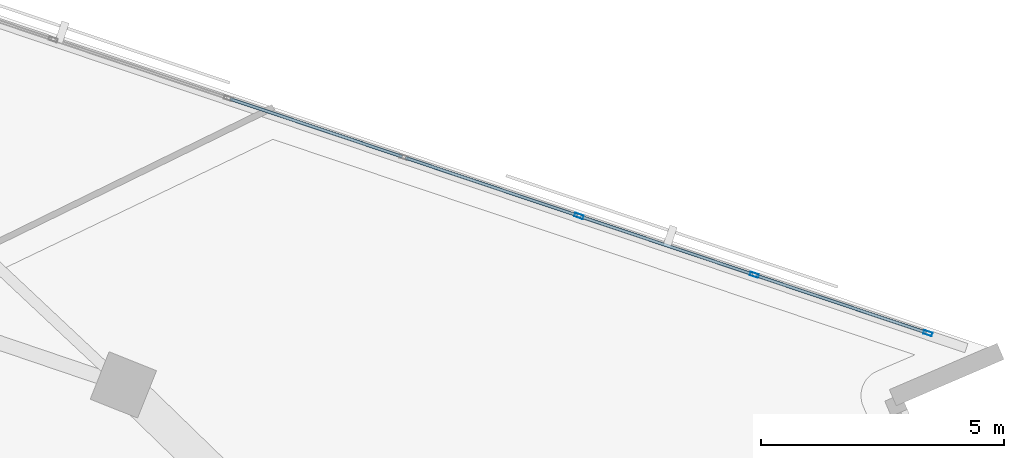
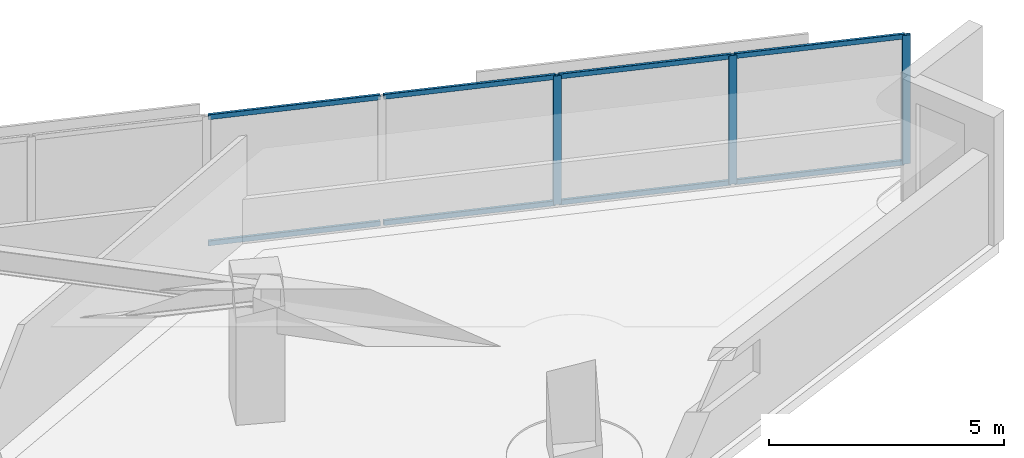
# One storey, part 5 of 14: 11 members, 1 element without a shape of its own.
"""IFC4 building model written with IfcOpenShell, lengths in metres."""

from ifc_helpers import new_model, si_unit, direction, frame, origin, origin_2d, place, context, subcontext, project, spatial, hollow_rectangle, extrude, material, material_profile, profile_set, type_object, element, aggregate, save


model = new_model("IFC4")

# Units and contexts
model_context = context("Model", 3, precision=1e-05, world=origin(), true_north=direction((0.0, 1.0)))
body_context = subcontext(model_context, "Body", "Model", "MODEL_VIEW")
ifc_project = project(units=[si_unit("LENGTHUNIT", "METRE"), si_unit("AREAUNIT", "SQUARE_METRE"), si_unit("VOLUMEUNIT", "CUBIC_METRE"), si_unit("PLANEANGLEUNIT", "RADIAN"), si_unit("MASSUNIT", "GRAM", prefix="KILO")], contexts=[model_context])

# Site, building, storey
site_placement = place(None, origin())
site = spatial("IfcSite", under=ifc_project, at=site_placement, CompositionType="ELEMENT")
building_placement = place(site_placement, origin())
building = spatial("IfcBuilding", under=site, at=building_placement, Name="Narakoshi Arena Tower", CompositionType="ELEMENT")
storey_placement = place(building_placement, frame((0.0, 0.0, 175.5)))
storey = spatial("IfcBuildingStorey", under=building, at=storey_placement, Name="L47", CompositionType="ELEMENT", Elevation=175.5)

# Curtain wall, members
ifc_material = material(Name="Anodised bronze aluminium 6063-T6", Category="aluminium")
curtain_wall_type = type_object("IfcCurtainWallType", Name="CW-HYP-MID", PredefinedType="NOTDEFINED", material=ifc_material)
curtain_wall_placement = place(storey_placement, origin())
curtain_wall = element("IfcCurtainWall", 1, at=curtain_wall_placement, inside=storey, type_object=curtain_wall_type, Name="L47 Folded Hypotenuse Curtain Wall 1-1", PredefinedType="NOTDEFINED")
ifc_material_profile_1 = material_profile(ifc_material, hollow_rectangle(XDim=0.074951171875, YDim=0.179931640625, WallThickness=0.00390625, OuterFilletRadius=0.0048828125, at=origin_2d()), Name="MUL180x75x4")
ifc_profile_set_1 = profile_set([ifc_material_profile_1], Name="Anodised bronze aluminium 6063-T6")
member_type_1 = type_object("IfcMemberType", Name="MEM-MUL-180", PredefinedType="MULLION", material=ifc_profile_set_1)
member_1_placement = place(storey_placement, frame((116.57080078125, 52.6513671875, 0.0), z_axis=(0.0, 0.0, 1.0), x_axis=(-0.318260960253, -0.948003144077, 0.0)))
member_1 = element("IfcMember", 2, at=member_1_placement, type_object=member_type_1, Name="CW-02 mullion 1", PredefinedType="MULLION", context=body_context, shape_type="SweptSolid", body=[
    extrude(hollow_rectangle(XDim=0.074951171875, YDim=0.179931640625, WallThickness=0.00390625, OuterFilletRadius=0.0048828125, at=origin_2d()), origin(), (0.0, 0.0, 1.0), 3.340087890625),
])
member_2_placement = place(storey_placement, frame((112.998779296875, 53.8505859375, 0.0), z_axis=(0.0, 0.0, 1.0), x_axis=(-0.318260960253, -0.948003144077, 0.0)))
member_2 = element("IfcMember", 3, at=member_2_placement, type_object=member_type_1, Name="CW-02 mullion 2", PredefinedType="MULLION", context=body_context, shape_type="SweptSolid", body=[
    extrude(hollow_rectangle(XDim=0.074951171875, YDim=0.179931640625, WallThickness=0.00390625, OuterFilletRadius=0.0048828125, at=origin_2d()), origin(), (0.0, 0.0, 1.0), 3.340087890625),
])
member_3_placement = place(storey_placement, frame((109.39111328125, 55.061767578125, 0.0), z_axis=(0.0, 0.0, 1.0), x_axis=(-0.318260960253, -0.948003144077, 0.0)))
member_3 = element("IfcMember", 4, at=member_3_placement, type_object=member_type_1, Name="CW-02 mullion 3", PredefinedType="MULLION", context=body_context, shape_type="SweptSolid", body=[
    extrude(hollow_rectangle(XDim=0.074951171875, YDim=0.179931640625, WallThickness=0.00390625, OuterFilletRadius=0.0048828125, at=origin_2d()), origin(), (0.0, 0.0, 1.0), 3.340087890625),
])
ifc_material_profile_2 = material_profile(ifc_material, hollow_rectangle(XDim=0.06494140625, YDim=0.1298828125, WallThickness=0.00390625, OuterFilletRadius=0.0048828125, at=origin_2d()), Name="TRN130x65x4")
ifc_profile_set_2 = profile_set([ifc_material_profile_2], Name="Anodised bronze aluminium 6063-T6")
member_type_2 = type_object("IfcMemberType", Name="MEM-TRN-130", PredefinedType="USERDEFINED", material=ifc_profile_set_2)
member_4_placement = place(storey_placement, frame((116.53515625, 52.663330078125, 0.032470703125), z_axis=(-0.948006826737, 0.31824999051, 0.0), x_axis=(-0.31824999051, -0.948006826737, 0.0)))
member_4 = element("IfcMember", 5, at=member_4_placement, type_object=member_type_2, Name="CW-02 transom 1.1", ObjectType="TRANSOM", PredefinedType="USERDEFINED", context=body_context, shape_type="SweptSolid", body=[
    extrude(hollow_rectangle(XDim=0.06494140625, YDim=0.1298828125, WallThickness=0.00390625, OuterFilletRadius=0.0048828125, at=origin_2d()), origin(), (0.0, 0.0, 1.0), 3.69287109375),
])
member_5_placement = place(storey_placement, frame((116.53515625, 52.663330078125, 3.3076171875), z_axis=(-0.948006826737, 0.31824999051, 0.0), x_axis=(-0.31824999051, -0.948006826737, 0.0)))
member_5 = element("IfcMember", 6, at=member_5_placement, type_object=member_type_2, Name="CW-02 transom 1.2", ObjectType="TRANSOM", PredefinedType="USERDEFINED", context=body_context, shape_type="SweptSolid", body=[
    extrude(hollow_rectangle(XDim=0.06494140625, YDim=0.1298828125, WallThickness=0.00390625, OuterFilletRadius=0.0048828125, at=origin_2d()), origin(), (0.0, 0.0, 1.0), 3.69287109375),
])
member_6_placement = place(storey_placement, frame((112.963134765625, 53.862548828125, 0.032470703125), z_axis=(-0.948000451231, 0.318268981314, 0.0), x_axis=(-0.318268981314, -0.948000451231, 0.0)))
member_6 = element("IfcMember", 7, at=member_6_placement, type_object=member_type_2, Name="CW-02 transom 2.1", ObjectType="TRANSOM", PredefinedType="USERDEFINED", context=body_context, shape_type="SweptSolid", body=[
    extrude(hollow_rectangle(XDim=0.06494140625, YDim=0.1298828125, WallThickness=0.00390625, OuterFilletRadius=0.0048828125, at=origin_2d()), origin(), (0.0, 0.0, 1.0), 3.73046875),
])
member_7_placement = place(storey_placement, frame((112.963134765625, 53.862548828125, 3.3076171875), z_axis=(-0.948000451231, 0.318268981314, 0.0), x_axis=(-0.318268981314, -0.948000451231, 0.0)))
member_7 = element("IfcMember", 8, at=member_7_placement, type_object=member_type_2, Name="CW-02 transom 2.2", ObjectType="TRANSOM", PredefinedType="USERDEFINED", context=body_context, shape_type="SweptSolid", body=[
    extrude(hollow_rectangle(XDim=0.06494140625, YDim=0.1298828125, WallThickness=0.00390625, OuterFilletRadius=0.0048828125, at=origin_2d()), origin(), (0.0, 0.0, 1.0), 3.73046875),
])
member_8_placement = place(storey_placement, frame((109.35546875, 55.073486328125, 0.032470703125), z_axis=(-0.948000451231, 0.318268981314, 0.0), x_axis=(-0.318268981314, -0.948000451231, 0.0)))
member_8 = element("IfcMember", 9, at=member_8_placement, type_object=member_type_2, Name="CW-02 transom 3.1", ObjectType="TRANSOM", PredefinedType="USERDEFINED", context=body_context, shape_type="SweptSolid", body=[
    extrude(hollow_rectangle(XDim=0.06494140625, YDim=0.1298828125, WallThickness=0.00390625, OuterFilletRadius=0.0048828125, at=origin_2d()), origin(), (0.0, 0.0, 1.0), 3.73046875),
])
member_9_placement = place(storey_placement, frame((109.35546875, 55.073486328125, 3.3076171875), z_axis=(-0.948000451231, 0.318268981314, 0.0), x_axis=(-0.318268981314, -0.948000451231, 0.0)))
member_9 = element("IfcMember", 10, at=member_9_placement, type_object=member_type_2, Name="CW-02 transom 3.2", ObjectType="TRANSOM", PredefinedType="USERDEFINED", context=body_context, shape_type="SweptSolid", body=[
    extrude(hollow_rectangle(XDim=0.06494140625, YDim=0.1298828125, WallThickness=0.00390625, OuterFilletRadius=0.0048828125, at=origin_2d()), origin(), (0.0, 0.0, 1.0), 3.73046875),
])
member_10_placement = place(storey_placement, frame((105.748046875, 56.28466796875, 0.032470703125), z_axis=(-0.948007080082, 0.318249235844, 0.0), x_axis=(-0.318249235844, -0.948007080082, 0.0)))
member_10 = element("IfcMember", 11, at=member_10_placement, type_object=member_type_2, Name="CW-02 transom 4.1", ObjectType="TRANSOM", PredefinedType="USERDEFINED", context=body_context, shape_type="SweptSolid", body=[
    extrude(hollow_rectangle(XDim=0.06494140625, YDim=0.1298828125, WallThickness=0.00390625, OuterFilletRadius=0.0048828125, at=origin_2d()), origin(), (0.0, 0.0, 1.0), 3.73046875),
])
member_11_placement = place(storey_placement, frame((105.748046875, 56.28466796875, 3.3076171875), z_axis=(-0.948007080082, 0.318249235844, 0.0), x_axis=(-0.318249235844, -0.948007080082, 0.0)))
member_11 = element("IfcMember", 12, at=member_11_placement, type_object=member_type_2, Name="CW-02 transom 4.2", ObjectType="TRANSOM", PredefinedType="USERDEFINED", context=body_context, shape_type="SweptSolid", body=[
    extrude(hollow_rectangle(XDim=0.06494140625, YDim=0.1298828125, WallThickness=0.00390625, OuterFilletRadius=0.0048828125, at=origin_2d()), origin(), (0.0, 0.0, 1.0), 3.73046875),
])
aggregate(curtain_wall, [member_1, member_2, member_3, member_4, member_5, member_6, member_7, member_8, member_9, member_10, member_11])

save(model, "model.ifc")
